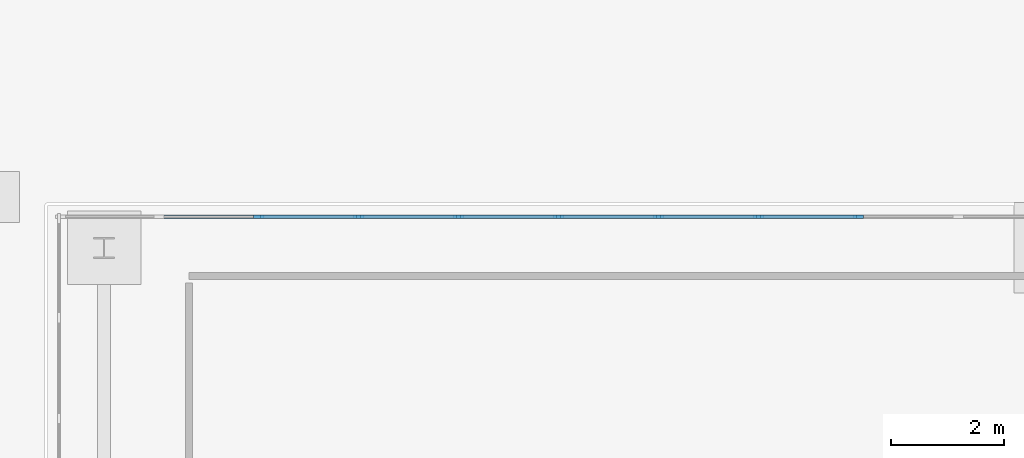
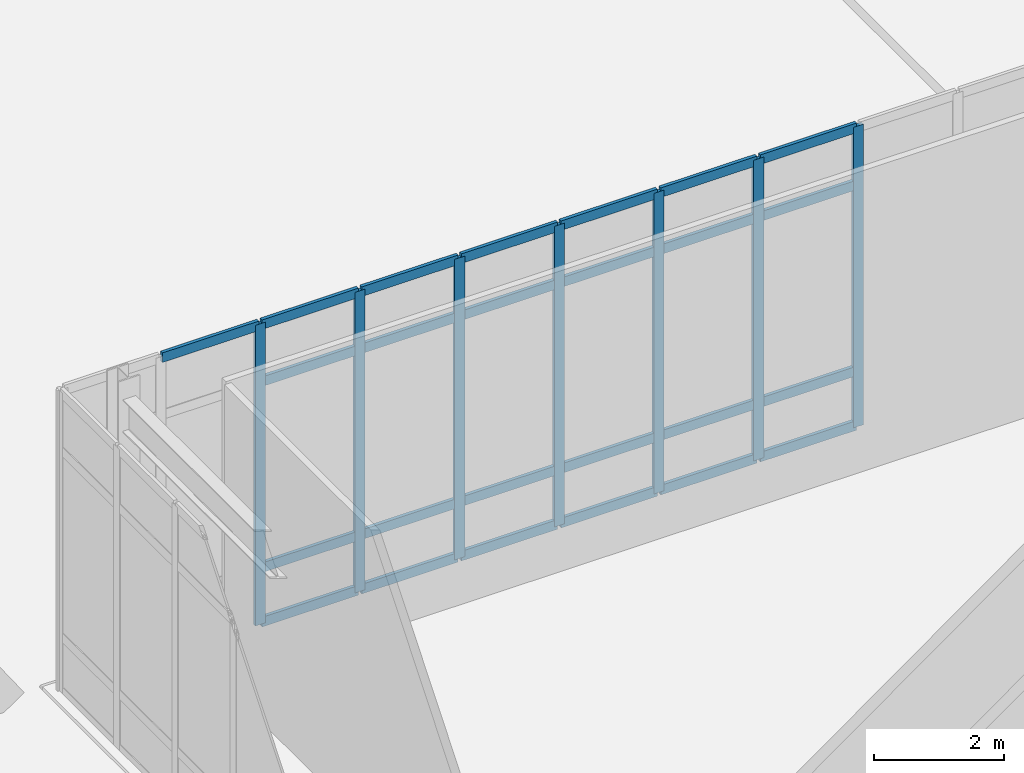
# One storey, part 39 of 143: 32 members, 1 element without a shape of its own.
"""IFC4 building model written with IfcOpenShell, lengths in metres."""

from ifc_helpers import new_model, si_unit, derived_unit, direction, frame, origin, origin_2d, place, context, subcontext, project, spatial, rectangle, extrude, material, layer, layer_set, material_profile, profile_set, type_object, element, aggregate, save


model = new_model("IFC4")

# Units and contexts
model_context = context("Model", 3, precision=1e-05, world=origin(), true_north=direction((0.0, 1.0)))
body_context = subcontext(model_context, "Body", "Model", "MODEL_VIEW")
ifc_project = project(units=[si_unit("LENGTHUNIT", "METRE"), si_unit("AREAUNIT", "SQUARE_METRE"), si_unit("VOLUMEUNIT", "CUBIC_METRE"), si_unit("PLANEANGLEUNIT", "RADIAN"), si_unit("MASSUNIT", "GRAM", prefix="KILO"), derived_unit("THERMALTRANSMITTANCEUNIT", [(si_unit("MASSUNIT", "GRAM", prefix="KILO"), 1), (si_unit("TIMEUNIT", "SECOND"), -3), (si_unit("THERMODYNAMICTEMPERATUREUNIT", "KELVIN"), -1)])], contexts=[model_context])

# Site, building, storey
site_placement = place(None, origin())
site = spatial("IfcSite", under=ifc_project, at=site_placement, CompositionType="ELEMENT")
building_placement = place(site_placement, origin())
building = spatial("IfcBuilding", under=site, at=building_placement, Name="Valcora Ridge Arena", CompositionType="ELEMENT")
storey_placement = place(building_placement, origin())
storey = spatial("IfcBuildingStorey", under=building, at=storey_placement, Name="L00", CompositionType="ELEMENT", Elevation=0.0)

# Curtain wall, members
ifc_material = material(Name="Anodised dark bronze architectural aluminium 6063-T6", Category="aluminium")
ifc_layer = layer(ifc_material, 0.179931640625, Name="Anodised dark bronze architectural aluminium 6063-T6")
ifc_layer_set = layer_set([ifc_layer], Name="Anodised dark bronze architectural aluminium 6063-T6")
curtain_wall_type = type_object("IfcCurtainWallType", Name="TY-CURTAINWALL-CW-V3-LANCET-194X56", PredefinedType="NOTDEFINED", material=ifc_layer_set)
curtain_wall_placement = place(storey_placement, origin())
curtain_wall = element("IfcCurtainWall", 1, at=curtain_wall_placement, inside=storey, type_object=curtain_wall_type, Name="CW-V3-LANCET-194X56 CW-0007", PredefinedType="NOTDEFINED")
ifc_material_profile_1 = material_profile(ifc_material, rectangle(XDim=0.06005859375, YDim=0.179931640625, at=origin_2d()), Name="ALU MULLION 60x180")
ifc_profile_set_1 = profile_set([ifc_material_profile_1], Name="Anodised dark bronze architectural aluminium 6063-T6")
member_type_1 = type_object("IfcMemberType", Name="TY-MEM-CWM-60x180", PredefinedType="MULLION", material=ifc_profile_set_1)
member_1_placement = place(storey_placement, frame((115.736328125, 44.85009765625, 0.0), z_axis=(0.0, 0.0, 1.0), x_axis=(0.0, 1.0, 0.0)))
member_1 = element("IfcMember", 2, at=member_1_placement, type_object=member_type_1, Name="CW-0007/CWM-60x180/M02", PredefinedType="MULLION", context=body_context, shape_type="SweptSolid", body=[
    extrude(rectangle(XDim=0.06005859375, YDim=0.179931640625, at=origin_2d()), origin(), (0.0, 0.0, 1.0), 5.639892578125),
])
member_2_placement = place(storey_placement, frame((117.50439453125, 44.85009765625, 0.0), z_axis=(0.0, 0.0, 1.0), x_axis=(0.0, 1.0, 0.0)))
member_2 = element("IfcMember", 3, at=member_2_placement, type_object=member_type_1, Name="CW-0007/CWM-60x180/M03", PredefinedType="MULLION", context=body_context, shape_type="SweptSolid", body=[
    extrude(rectangle(XDim=0.06005859375, YDim=0.179931640625, at=origin_2d()), origin(), (0.0, 0.0, 1.0), 5.639892578125),
])
member_3_placement = place(storey_placement, frame((119.272705078125, 44.85009765625, 0.0), z_axis=(0.0, 0.0, 1.0), x_axis=(0.0, 1.0, 0.0)))
member_3 = element("IfcMember", 4, at=member_3_placement, type_object=member_type_1, Name="CW-0007/CWM-60x180/M04", PredefinedType="MULLION", context=body_context, shape_type="SweptSolid", body=[
    extrude(rectangle(XDim=0.06005859375, YDim=0.179931640625, at=origin_2d()), origin(), (0.0, 0.0, 1.0), 5.639892578125),
])
member_4_placement = place(storey_placement, frame((121.041015625, 44.85009765625, 0.0), z_axis=(0.0, 0.0, 1.0), x_axis=(0.0, 1.0, 0.0)))
member_4 = element("IfcMember", 5, at=member_4_placement, type_object=member_type_1, Name="CW-0007/CWM-60x180/M05", PredefinedType="MULLION", context=body_context, shape_type="SweptSolid", body=[
    extrude(rectangle(XDim=0.06005859375, YDim=0.179931640625, at=origin_2d()), origin(), (0.0, 0.0, 1.0), 5.639892578125),
])
member_5_placement = place(storey_placement, frame((122.80908203125, 44.85009765625, 0.0), z_axis=(0.0, 0.0, 1.0), x_axis=(0.0, 1.0, 0.0)))
member_5 = element("IfcMember", 6, at=member_5_placement, type_object=member_type_1, Name="CW-0007/CWM-60x180/M06", PredefinedType="MULLION", context=body_context, shape_type="SweptSolid", body=[
    extrude(rectangle(XDim=0.06005859375, YDim=0.179931640625, at=origin_2d()), origin(), (0.0, 0.0, 1.0), 5.639892578125),
])
member_6_placement = place(storey_placement, frame((124.577392578125, 44.85009765625, 0.0), z_axis=(0.0, 0.0, 1.0), x_axis=(0.0, 1.0, 0.0)))
member_6 = element("IfcMember", 7, at=member_6_placement, type_object=member_type_1, Name="CW-0007/CWM-60x180/M07", PredefinedType="MULLION", context=body_context, shape_type="SweptSolid", body=[
    extrude(rectangle(XDim=0.06005859375, YDim=0.179931640625, at=origin_2d()), origin(), (0.0, 0.0, 1.0), 5.639892578125),
])
member_7_placement = place(storey_placement, frame((126.345458984375, 44.85009765625, 0.0), z_axis=(0.0, 0.0, 1.0), x_axis=(0.0, 1.0, 0.0)))
member_7 = element("IfcMember", 8, at=member_7_placement, type_object=member_type_1, Name="CW-0007/CWM-60x180/M08", PredefinedType="MULLION", context=body_context, shape_type="SweptSolid", body=[
    extrude(rectangle(XDim=0.06005859375, YDim=0.179931640625, at=origin_2d()), origin(), (0.0, 0.0, 1.0), 5.639892578125),
])
ifc_material_profile_2 = material_profile(ifc_material, rectangle(XDim=0.06005859375, YDim=0.179931640625, at=origin_2d()), Name="ALU TRANSOM 60x180")
ifc_profile_set_2 = profile_set([ifc_material_profile_2], Name="Anodised dark bronze architectural aluminium 6063-T6")
member_type_2 = type_object("IfcMemberType", Name="TY-MEM-CWT-60x180", PredefinedType="USERDEFINED", material=ifc_profile_set_2)
member_8_placement = place(storey_placement, frame((113.998046875, 44.85009765625, 5.610107421875), z_axis=(1.0, 0.0, 0.0), x_axis=(0.0, 1.0, 0.0)))
member_8 = element("IfcMember", 9, at=member_8_placement, type_object=member_type_2, Name="CW-0007/CWT-60x180/T01-03", ObjectType="TRANSOM", PredefinedType="USERDEFINED", context=body_context, shape_type="SweptSolid", body=[
    extrude(rectangle(XDim=0.06005859375, YDim=0.179931640625, at=origin_2d()), origin(), (0.0, 0.0, 1.0), 1.7080078125),
])
member_9_placement = place(storey_placement, frame((115.76611328125, 44.85009765625, 0.030029296875), z_axis=(1.0, 0.0, 0.0), x_axis=(0.0, 1.0, 0.0)))
member_9 = element("IfcMember", 10, at=member_9_placement, type_object=member_type_2, Name="CW-0007/CWT-60x180/T02-00", ObjectType="TRANSOM", PredefinedType="USERDEFINED", context=body_context, shape_type="SweptSolid", body=[
    extrude(rectangle(XDim=0.06005859375, YDim=0.179931640625, at=origin_2d()), origin(), (0.0, 0.0, 1.0), 1.708984375),
])
member_10_placement = place(storey_placement, frame((115.76611328125, 44.85009765625, 1.050048828125), z_axis=(1.0, 0.0, 0.0), x_axis=(0.0, 1.0, 0.0)))
member_10 = element("IfcMember", 11, at=member_10_placement, type_object=member_type_2, Name="CW-0007/CWT-60x180/T02-01", ObjectType="TRANSOM", PredefinedType="USERDEFINED", context=body_context, shape_type="SweptSolid", body=[
    extrude(rectangle(XDim=0.06005859375, YDim=0.179931640625, at=origin_2d()), origin(), (0.0, 0.0, 1.0), 1.708984375),
])
member_11_placement = place(storey_placement, frame((115.76611328125, 44.85009765625, 4.5400390625), z_axis=(1.0, 0.0, 0.0), x_axis=(0.0, 1.0, 0.0)))
member_11 = element("IfcMember", 12, at=member_11_placement, type_object=member_type_2, Name="CW-0007/CWT-60x180/T02-02", ObjectType="TRANSOM", PredefinedType="USERDEFINED", context=body_context, shape_type="SweptSolid", body=[
    extrude(rectangle(XDim=0.06005859375, YDim=0.179931640625, at=origin_2d()), origin(), (0.0, 0.0, 1.0), 1.708984375),
])
member_12_placement = place(storey_placement, frame((115.76611328125, 44.85009765625, 5.610107421875), z_axis=(1.0, 0.0, 0.0), x_axis=(0.0, 1.0, 0.0)))
member_12 = element("IfcMember", 13, at=member_12_placement, type_object=member_type_2, Name="CW-0007/CWT-60x180/T02-03", ObjectType="TRANSOM", PredefinedType="USERDEFINED", context=body_context, shape_type="SweptSolid", body=[
    extrude(rectangle(XDim=0.06005859375, YDim=0.179931640625, at=origin_2d()), origin(), (0.0, 0.0, 1.0), 1.708984375),
])
member_13_placement = place(storey_placement, frame((117.534912109375, 44.85009765625, 0.030029296875), z_axis=(1.0, 0.0, 0.0), x_axis=(0.0, 1.0, 0.0)))
member_13 = element("IfcMember", 14, at=member_13_placement, type_object=member_type_2, Name="CW-0007/CWT-60x180/T03-00", ObjectType="TRANSOM", PredefinedType="USERDEFINED", context=body_context, shape_type="SweptSolid", body=[
    extrude(rectangle(XDim=0.06005859375, YDim=0.179931640625, at=origin_2d()), origin(), (0.0, 0.0, 1.0), 1.7080078125),
])
member_14_placement = place(storey_placement, frame((117.534912109375, 44.85009765625, 1.050048828125), z_axis=(1.0, 0.0, 0.0), x_axis=(0.0, 1.0, 0.0)))
member_14 = element("IfcMember", 15, at=member_14_placement, type_object=member_type_2, Name="CW-0007/CWT-60x180/T03-01", ObjectType="TRANSOM", PredefinedType="USERDEFINED", context=body_context, shape_type="SweptSolid", body=[
    extrude(rectangle(XDim=0.06005859375, YDim=0.179931640625, at=origin_2d()), origin(), (0.0, 0.0, 1.0), 1.7080078125),
])
member_15_placement = place(storey_placement, frame((117.534912109375, 44.85009765625, 4.5400390625), z_axis=(1.0, 0.0, 0.0), x_axis=(0.0, 1.0, 0.0)))
member_15 = element("IfcMember", 16, at=member_15_placement, type_object=member_type_2, Name="CW-0007/CWT-60x180/T03-02", ObjectType="TRANSOM", PredefinedType="USERDEFINED", context=body_context, shape_type="SweptSolid", body=[
    extrude(rectangle(XDim=0.06005859375, YDim=0.179931640625, at=origin_2d()), origin(), (0.0, 0.0, 1.0), 1.7080078125),
])
member_16_placement = place(storey_placement, frame((117.534912109375, 44.85009765625, 5.610107421875), z_axis=(1.0, 0.0, 0.0), x_axis=(0.0, 1.0, 0.0)))
member_16 = element("IfcMember", 17, at=member_16_placement, type_object=member_type_2, Name="CW-0007/CWT-60x180/T03-03", ObjectType="TRANSOM", PredefinedType="USERDEFINED", context=body_context, shape_type="SweptSolid", body=[
    extrude(rectangle(XDim=0.06005859375, YDim=0.179931640625, at=origin_2d()), origin(), (0.0, 0.0, 1.0), 1.7080078125),
])
member_17_placement = place(storey_placement, frame((119.302978515625, 44.85009765625, 0.030029296875), z_axis=(1.0, 0.0, 0.0), x_axis=(0.0, 1.0, 0.0)))
member_17 = element("IfcMember", 18, at=member_17_placement, type_object=member_type_2, Name="CW-0007/CWT-60x180/T04-00", ObjectType="TRANSOM", PredefinedType="USERDEFINED", context=body_context, shape_type="SweptSolid", body=[
    extrude(rectangle(XDim=0.06005859375, YDim=0.179931640625, at=origin_2d()), origin(), (0.0, 0.0, 1.0), 1.7080078125),
])
member_18_placement = place(storey_placement, frame((119.302978515625, 44.85009765625, 1.050048828125), z_axis=(1.0, 0.0, 0.0), x_axis=(0.0, 1.0, 0.0)))
member_18 = element("IfcMember", 19, at=member_18_placement, type_object=member_type_2, Name="CW-0007/CWT-60x180/T04-01", ObjectType="TRANSOM", PredefinedType="USERDEFINED", context=body_context, shape_type="SweptSolid", body=[
    extrude(rectangle(XDim=0.06005859375, YDim=0.179931640625, at=origin_2d()), origin(), (0.0, 0.0, 1.0), 1.7080078125),
])
member_19_placement = place(storey_placement, frame((119.302978515625, 44.85009765625, 4.5400390625), z_axis=(1.0, 0.0, 0.0), x_axis=(0.0, 1.0, 0.0)))
member_19 = element("IfcMember", 20, at=member_19_placement, type_object=member_type_2, Name="CW-0007/CWT-60x180/T04-02", ObjectType="TRANSOM", PredefinedType="USERDEFINED", context=body_context, shape_type="SweptSolid", body=[
    extrude(rectangle(XDim=0.06005859375, YDim=0.179931640625, at=origin_2d()), origin(), (0.0, 0.0, 1.0), 1.7080078125),
])
member_20_placement = place(storey_placement, frame((119.302978515625, 44.85009765625, 5.610107421875), z_axis=(1.0, 0.0, 0.0), x_axis=(0.0, 1.0, 0.0)))
member_20 = element("IfcMember", 21, at=member_20_placement, type_object=member_type_2, Name="CW-0007/CWT-60x180/T04-03", ObjectType="TRANSOM", PredefinedType="USERDEFINED", context=body_context, shape_type="SweptSolid", body=[
    extrude(rectangle(XDim=0.06005859375, YDim=0.179931640625, at=origin_2d()), origin(), (0.0, 0.0, 1.0), 1.7080078125),
])
member_21_placement = place(storey_placement, frame((121.071044921875, 44.85009765625, 0.030029296875), z_axis=(1.0, 0.0, 0.0), x_axis=(0.0, 1.0, 0.0)))
member_21 = element("IfcMember", 22, at=member_21_placement, type_object=member_type_2, Name="CW-0007/CWT-60x180/T05-00", ObjectType="TRANSOM", PredefinedType="USERDEFINED", context=body_context, shape_type="SweptSolid", body=[
    extrude(rectangle(XDim=0.06005859375, YDim=0.179931640625, at=origin_2d()), origin(), (0.0, 0.0, 1.0), 1.7080078125),
])
member_22_placement = place(storey_placement, frame((121.071044921875, 44.85009765625, 1.050048828125), z_axis=(1.0, 0.0, 0.0), x_axis=(0.0, 1.0, 0.0)))
member_22 = element("IfcMember", 23, at=member_22_placement, type_object=member_type_2, Name="CW-0007/CWT-60x180/T05-01", ObjectType="TRANSOM", PredefinedType="USERDEFINED", context=body_context, shape_type="SweptSolid", body=[
    extrude(rectangle(XDim=0.06005859375, YDim=0.179931640625, at=origin_2d()), origin(), (0.0, 0.0, 1.0), 1.7080078125),
])
member_23_placement = place(storey_placement, frame((121.071044921875, 44.85009765625, 4.5400390625), z_axis=(1.0, 0.0, 0.0), x_axis=(0.0, 1.0, 0.0)))
member_23 = element("IfcMember", 24, at=member_23_placement, type_object=member_type_2, Name="CW-0007/CWT-60x180/T05-02", ObjectType="TRANSOM", PredefinedType="USERDEFINED", context=body_context, shape_type="SweptSolid", body=[
    extrude(rectangle(XDim=0.06005859375, YDim=0.179931640625, at=origin_2d()), origin(), (0.0, 0.0, 1.0), 1.7080078125),
])
member_24_placement = place(storey_placement, frame((121.071044921875, 44.85009765625, 5.610107421875), z_axis=(1.0, 0.0, 0.0), x_axis=(0.0, 1.0, 0.0)))
member_24 = element("IfcMember", 25, at=member_24_placement, type_object=member_type_2, Name="CW-0007/CWT-60x180/T05-03", ObjectType="TRANSOM", PredefinedType="USERDEFINED", context=body_context, shape_type="SweptSolid", body=[
    extrude(rectangle(XDim=0.06005859375, YDim=0.179931640625, at=origin_2d()), origin(), (0.0, 0.0, 1.0), 1.7080078125),
])
member_25_placement = place(storey_placement, frame((122.839111328125, 44.85009765625, 0.030029296875), z_axis=(1.0, 0.0, 0.0), x_axis=(0.0, 1.0, 0.0)))
member_25 = element("IfcMember", 26, at=member_25_placement, type_object=member_type_2, Name="CW-0007/CWT-60x180/T06-00", ObjectType="TRANSOM", PredefinedType="USERDEFINED", context=body_context, shape_type="SweptSolid", body=[
    extrude(rectangle(XDim=0.06005859375, YDim=0.179931640625, at=origin_2d()), origin(), (0.0, 0.0, 1.0), 1.7080078125),
])
member_26_placement = place(storey_placement, frame((122.839111328125, 44.85009765625, 1.050048828125), z_axis=(1.0, 0.0, 0.0), x_axis=(0.0, 1.0, 0.0)))
member_26 = element("IfcMember", 27, at=member_26_placement, type_object=member_type_2, Name="CW-0007/CWT-60x180/T06-01", ObjectType="TRANSOM", PredefinedType="USERDEFINED", context=body_context, shape_type="SweptSolid", body=[
    extrude(rectangle(XDim=0.06005859375, YDim=0.179931640625, at=origin_2d()), origin(), (0.0, 0.0, 1.0), 1.7080078125),
])
member_27_placement = place(storey_placement, frame((122.839111328125, 44.85009765625, 4.5400390625), z_axis=(1.0, 0.0, 0.0), x_axis=(0.0, 1.0, 0.0)))
member_27 = element("IfcMember", 28, at=member_27_placement, type_object=member_type_2, Name="CW-0007/CWT-60x180/T06-02", ObjectType="TRANSOM", PredefinedType="USERDEFINED", context=body_context, shape_type="SweptSolid", body=[
    extrude(rectangle(XDim=0.06005859375, YDim=0.179931640625, at=origin_2d()), origin(), (0.0, 0.0, 1.0), 1.7080078125),
])
member_28_placement = place(storey_placement, frame((122.839111328125, 44.85009765625, 5.610107421875), z_axis=(1.0, 0.0, 0.0), x_axis=(0.0, 1.0, 0.0)))
member_28 = element("IfcMember", 29, at=member_28_placement, type_object=member_type_2, Name="CW-0007/CWT-60x180/T06-03", ObjectType="TRANSOM", PredefinedType="USERDEFINED", context=body_context, shape_type="SweptSolid", body=[
    extrude(rectangle(XDim=0.06005859375, YDim=0.179931640625, at=origin_2d()), origin(), (0.0, 0.0, 1.0), 1.7080078125),
])
member_29_placement = place(storey_placement, frame((124.60693359375, 44.85009765625, 0.030029296875), z_axis=(1.0, 0.0, 0.0), x_axis=(0.0, 1.0, 0.0)))
member_29 = element("IfcMember", 30, at=member_29_placement, type_object=member_type_2, Name="CW-0007/CWT-60x180/T07-00", ObjectType="TRANSOM", PredefinedType="USERDEFINED", context=body_context, shape_type="SweptSolid", body=[
    extrude(rectangle(XDim=0.06005859375, YDim=0.179931640625, at=origin_2d()), origin(), (0.0, 0.0, 1.0), 1.7080078125),
])
member_30_placement = place(storey_placement, frame((124.60693359375, 44.85009765625, 1.050048828125), z_axis=(1.0, 0.0, 0.0), x_axis=(0.0, 1.0, 0.0)))
member_30 = element("IfcMember", 31, at=member_30_placement, type_object=member_type_2, Name="CW-0007/CWT-60x180/T07-01", ObjectType="TRANSOM", PredefinedType="USERDEFINED", context=body_context, shape_type="SweptSolid", body=[
    extrude(rectangle(XDim=0.06005859375, YDim=0.179931640625, at=origin_2d()), origin(), (0.0, 0.0, 1.0), 1.7080078125),
])
member_31_placement = place(storey_placement, frame((124.60693359375, 44.85009765625, 4.5400390625), z_axis=(1.0, 0.0, 0.0), x_axis=(0.0, 1.0, 0.0)))
member_31 = element("IfcMember", 32, at=member_31_placement, type_object=member_type_2, Name="CW-0007/CWT-60x180/T07-02", ObjectType="TRANSOM", PredefinedType="USERDEFINED", context=body_context, shape_type="SweptSolid", body=[
    extrude(rectangle(XDim=0.06005859375, YDim=0.179931640625, at=origin_2d()), origin(), (0.0, 0.0, 1.0), 1.7080078125),
])
member_32_placement = place(storey_placement, frame((124.60693359375, 44.85009765625, 5.610107421875), z_axis=(1.0, 0.0, 0.0), x_axis=(0.0, 1.0, 0.0)))
member_32 = element("IfcMember", 33, at=member_32_placement, type_object=member_type_2, Name="CW-0007/CWT-60x180/T07-03", ObjectType="TRANSOM", PredefinedType="USERDEFINED", context=body_context, shape_type="SweptSolid", body=[
    extrude(rectangle(XDim=0.06005859375, YDim=0.179931640625, at=origin_2d()), origin(), (0.0, 0.0, 1.0), 1.7080078125),
])
aggregate(curtain_wall, [member_1, member_2, member_3, member_4, member_5, member_6, member_7, member_8, member_9, member_10, member_11, member_12, member_13, member_14, member_15, member_16, member_17, member_18, member_19, member_20, member_21, member_22, member_23, member_24, member_25, member_26, member_27, member_28, member_29, member_30, member_31, member_32])

save(model, "model.ifc")
